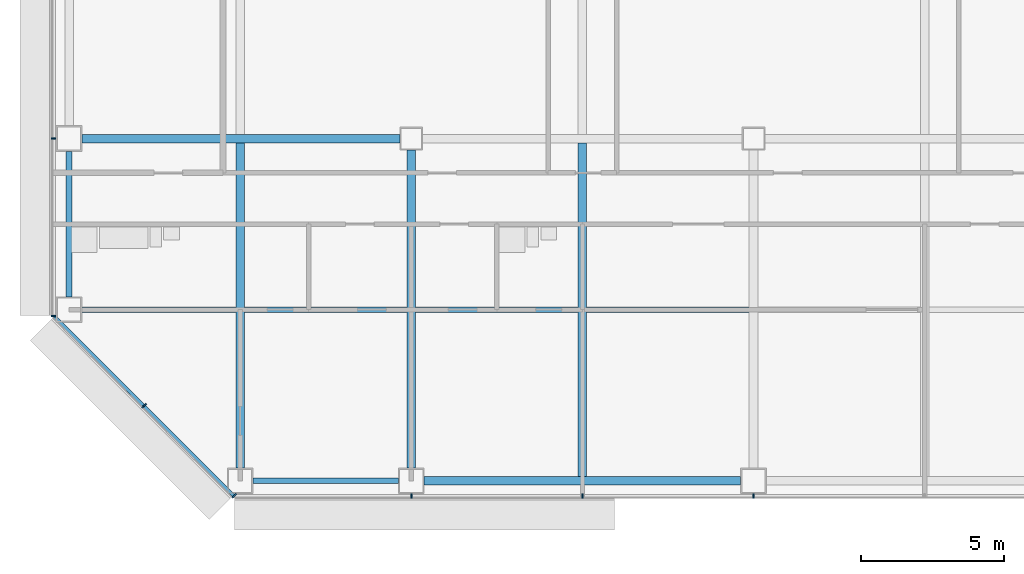
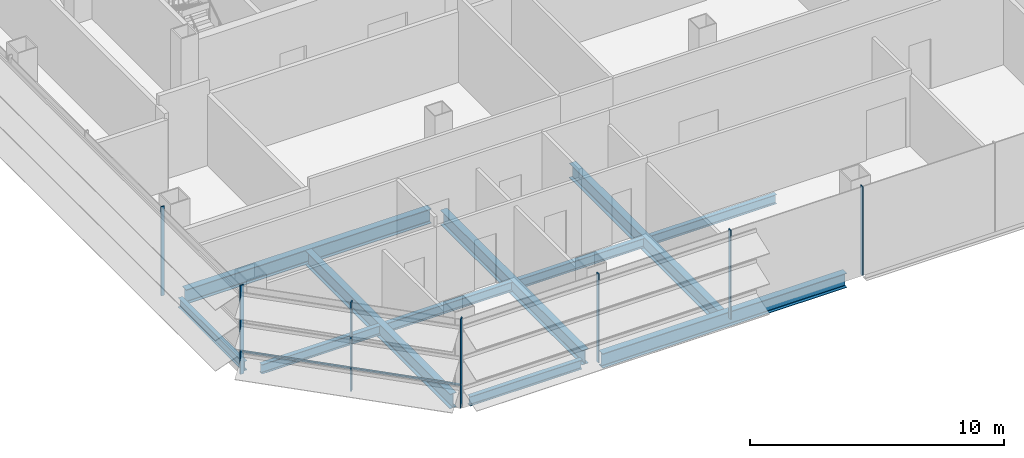
# One storey, part 2 of 27: 11 beams, 8 members, 3 elements without a shape of their own.
"""IFC4 building model written with IfcOpenShell, lengths in metres."""

from ifc_helpers import new_model, si_unit, direction, frame, origin, origin_2d, place, context, subcontext, project, spatial, rectangle, i_section, extrude, material, material_profile, profile_set, type_object, element, aggregate, save


model = new_model("IFC4")

# Units and contexts
model_context = context("Model", 3, precision=1e-05, world=origin(), true_north=direction((0.0, 1.0)))
body_context = subcontext(model_context, "Body", "Model", "MODEL_VIEW")
ifc_project = project(units=[si_unit("LENGTHUNIT", "METRE"), si_unit("AREAUNIT", "SQUARE_METRE"), si_unit("VOLUMEUNIT", "CUBIC_METRE"), si_unit("PLANEANGLEUNIT", "RADIAN"), si_unit("MASSUNIT", "GRAM", prefix="KILO")], contexts=[model_context])

# Site, building, storey
site_placement = place(None, origin())
site = spatial("IfcSite", under=ifc_project, at=site_placement, CompositionType="ELEMENT")
building_placement = place(site_placement, origin())
building = spatial("IfcBuilding", under=site, at=building_placement, Name="Sorahane Residences", CompositionType="ELEMENT")
storey_placement = place(building_placement, frame((0.0, 0.0, 85.800048828125)))
storey = spatial("IfcBuildingStorey", under=building, at=storey_placement, Name="L18", CompositionType="ELEMENT", Elevation=85.800048828125)

# Curtain wall, members
ifc_material_1 = material(Name="Dark low-e glass and black anodised aluminium", Category="aluminium")
curtain_wall_type_1 = type_object("IfcCurtainWallType", Name="Curtain wall CW-1 Typical unitised wall", PredefinedType="NOTDEFINED", material=ifc_material_1)
curtain_wall_1_placement = place(storey_placement, origin())
curtain_wall_1 = element("IfcCurtainWall", 1, at=curtain_wall_1_placement, inside=storey, type_object=curtain_wall_type_1, Name="CW-1 curtain wall L18 S1", PredefinedType="NOTDEFINED")
ifc_material_2 = material(Name="Black anodised aluminium", Category="aluminium")
ifc_material_profile_1 = material_profile(ifc_material_2, rectangle(XDim=0.159912109375, YDim=0.050048828125, at=origin_2d()), Name="Curtain wall mullion CW-1 black anodised aluminium 50x160")
ifc_profile_set_1 = profile_set([ifc_material_profile_1], Name="Black anodised aluminium")
member_type_1 = type_object("IfcMemberType", Name="Curtain wall mullion CW-1 black anodised aluminium 50x160", PredefinedType="MULLION", material=ifc_profile_set_1)
member_1_placement = place(storey_placement, frame((12.0, -0.5400390625, -0.179931640625), z_axis=(0.0, 0.0, 1.0), x_axis=(0.0, -1.0, 0.0)))
member_1 = element("IfcMember", 2, at=member_1_placement, type_object=member_type_1, Name="CW-1 mullion L18 S1.2", PredefinedType="MULLION", context=body_context, shape_type="SweptSolid", body=[
    extrude(rectangle(XDim=0.159912109375, YDim=0.050048828125, at=origin_2d()), origin(), (0.0, 0.0, 1.0), 4.27978515625),
])
member_2_placement = place(storey_placement, frame((18.0, -0.5400390625, -0.179931640625), z_axis=(0.0, 0.0, 1.0), x_axis=(0.0, -1.0, 0.0)))
member_2 = element("IfcMember", 3, at=member_2_placement, type_object=member_type_1, Name="CW-1 mullion L18 S1.3", PredefinedType="MULLION", context=body_context, shape_type="SweptSolid", body=[
    extrude(rectangle(XDim=0.159912109375, YDim=0.050048828125, at=origin_2d()), origin(), (0.0, 0.0, 1.0), 4.27978515625),
])
member_3_placement = place(storey_placement, frame((24.0, -0.5400390625, -0.179931640625), z_axis=(0.0, 0.0, 1.0), x_axis=(0.0, -1.0, 0.0)))
member_3 = element("IfcMember", 4, at=member_3_placement, type_object=member_type_1, Name="CW-1 mullion L18 S1.4", PredefinedType="MULLION", context=body_context, shape_type="SweptSolid", body=[
    extrude(rectangle(XDim=0.159912109375, YDim=0.050048828125, at=origin_2d()), origin(), (0.0, 0.0, 1.0), 4.27978515625),
])
aggregate(curtain_wall_1, [member_1, member_2, member_3])

curtain_wall_2_placement = place(storey_placement, origin())
curtain_wall_2 = element("IfcCurtainWall", 5, at=curtain_wall_2_placement, inside=storey, type_object=curtain_wall_type_1, Name="CW-1 curtain wall L18 W1", PredefinedType="NOTDEFINED")
member_4_placement = place(storey_placement, frame((-0.5400390625, 12.0, -0.179931640625), z_axis=(0.0, 0.0, 1.0), x_axis=(-1.0, 0.0, 0.0)))
member_4 = element("IfcMember", 6, at=member_4_placement, type_object=member_type_1, Name="CW-1 mullion L18 W1.6", PredefinedType="MULLION", context=body_context, shape_type="SweptSolid", body=[
    extrude(rectangle(XDim=0.159912109375, YDim=0.050048828125, at=origin_2d()), origin(), (0.0, 0.0, 1.0), 4.27978515625),
])
member_5_placement = place(storey_placement, frame((-0.5400390625, 5.7763671875, -0.179931640625), z_axis=(0.0, 0.0, 1.0), x_axis=(-1.0, 0.0, 0.0)))
member_5 = element("IfcMember", 7, at=member_5_placement, type_object=member_type_1, Name="CW-1 mullion L18 W1.7", PredefinedType="MULLION", context=body_context, shape_type="SweptSolid", body=[
    extrude(rectangle(XDim=0.159912109375, YDim=0.050048828125, at=origin_2d()), origin(), (0.0, 0.0, 1.0), 4.27978515625),
])
aggregate(curtain_wall_2, [member_4, member_5])

ifc_material_3 = material(Name="Dark low-e glass and black anodised aluminium", Category="aluminium")
curtain_wall_type_2 = type_object("IfcCurtainWallType", Name="Curtain wall CW-2 Chamfer unitised wall", PredefinedType="NOTDEFINED", material=ifc_material_3)
curtain_wall_3_placement = place(storey_placement, origin())
curtain_wall_3 = element("IfcCurtainWall", 8, at=curtain_wall_3_placement, inside=storey, type_object=curtain_wall_type_2, Name="CW-2 curtain wall L18 SW1", PredefinedType="NOTDEFINED")
ifc_material_4 = material(Name="Black anodised aluminium", Category="aluminium")
ifc_material_profile_2 = material_profile(ifc_material_4, rectangle(XDim=0.199951171875, YDim=0.050048828125, at=origin_2d()), Name="Curtain wall mullion CW-2 black anodised aluminium 50x200")
ifc_profile_set_2 = profile_set([ifc_material_profile_2], Name="Black anodised aluminium")
member_type_2 = type_object("IfcMemberType", Name="Curtain wall mullion CW-2 black anodised aluminium 50x200", PredefinedType="MULLION", material=ifc_profile_set_2)
member_6_placement = place(storey_placement, frame((2.63232421875, 2.63232421875, -0.179931640625), z_axis=(0.0, 0.0, 1.0), x_axis=(-0.707106781187, -0.707106781187, 0.0)))
member_6 = element("IfcMember", 9, at=member_6_placement, type_object=member_type_2, Name="CW-2 mullion L18 SW1.2", PredefinedType="MULLION", context=body_context, shape_type="SweptSolid", body=[
    extrude(rectangle(XDim=0.199951171875, YDim=0.050048828125, at=origin_2d()), origin(), (0.0, 0.0, 1.0), 4.27978515625),
])
member_7_placement = place(storey_placement, frame((5.790283203125, -0.525634765625, -0.179931640625), z_axis=(0.0, 0.0, 1.0), x_axis=(-0.707106781187, -0.707106781187, 0.0)))
member_7 = element("IfcMember", 10, at=member_7_placement, type_object=member_type_2, Name="CW-2 mullion L18 SW1.3", PredefinedType="MULLION", context=body_context, shape_type="SweptSolid", body=[
    extrude(rectangle(XDim=0.199951171875, YDim=0.050048828125, at=origin_2d()), origin(), (0.0, 0.0, 1.0), 4.27978515625),
])
ifc_material_5 = material(Name="Black anodised aluminium", Category="aluminium")
ifc_material_profile_3 = material_profile(ifc_material_5, rectangle(XDim=0.10009765625, YDim=0.06005859375, at=origin_2d()), Name="Curtain wall transom CW-2 black anodised aluminium 60x100")
ifc_profile_set_3 = profile_set([ifc_material_profile_3], Name="Black anodised aluminium")
member_type_3 = type_object("IfcMemberType", Name="Curtain wall transom CW-2 black anodised aluminium 60x100", PredefinedType="USERDEFINED", material=ifc_profile_set_3)
member_8_placement = place(storey_placement, frame((-0.51513671875, 5.765625, 0.89990234375), z_axis=(0.707106781187, -0.707106781187, 0.0), x_axis=(0.707106781187, 0.707106781187, 0.0)))
member_8 = element("IfcMember", 11, at=member_8_placement, type_object=member_type_3, Name="CW-2 transom L18 SW1", ObjectType="TRANSOM", PredefinedType="USERDEFINED", context=body_context, shape_type="SweptSolid", body=[
    extrude(rectangle(XDim=0.10009765625, YDim=0.06005859375, at=origin_2d()), origin(), (0.0, 0.0, 1.0), 8.88232421875),
])
aggregate(curtain_wall_3, [member_6, member_7, member_8])

# Beams
ifc_material_6 = material(Name="Steel Q355B", Category="steel")
ifc_material_profile_4 = material_profile(ifc_material_6, i_section(OverallWidth=0.199951171875, OverallDepth=0.449951171875, WebThickness=0.009033203125, FlangeThickness=0.013916015625, FilletRadius=0.02001953125, at=origin_2d()), Name="HN 450x200x9x14")
ifc_profile_set_4 = profile_set([ifc_material_profile_4], Name="Steel Q355B")
beam_type_1 = type_object("IfcBeamType", Name="Steel floor beam HN 450x200x9x14 Q355B", PredefinedType="BEAM", material=ifc_profile_set_4)
for number, where, z_axis, x_axis, name in (
    (12, (6.449951171875, 0.0, -0.405029296875), (1.0, 0.0, 0.0), (0.0, 1.0, 0.0), "Beam L18 000"),
    (13, (0.0, 6.449951171875, -0.405029296875), (0.0, 1.0, 0.0), (-1.0, 0.0, 0.0), "Beam L18 017"),
):
    element("IfcBeam", number, at=place(storey_placement, frame(where, z_axis=z_axis, x_axis=x_axis)), inside=storey, type_object=beam_type_1, Name=name, PredefinedType="BEAM", context=body_context, shape_type="SweptSolid", body=[
        extrude(i_section(OverallWidth=0.199951171875, OverallDepth=0.449951171875, WebThickness=0.009033203125, FlangeThickness=0.013916015625, FilletRadius=0.02001953125, at=origin_2d()), origin(), (0.0, 0.0, 1.0), 5.10009765625),
    ])
beam_1_placement = place(storey_placement, frame((0.449951171875, 6.0, -0.405029296875), z_axis=(1.0, 0.0, 0.0), x_axis=(0.0, 1.0, 0.0)))
element("IfcBeam", 14, at=beam_1_placement, inside=storey, type_object=beam_type_1, Name="Beam L18 061", PredefinedType="BEAM", context=body_context, shape_type="SweptSolid", body=[
    extrude(i_section(OverallWidth=0.199951171875, OverallDepth=0.449951171875, WebThickness=0.009033203125, FlangeThickness=0.013916015625, FilletRadius=0.02001953125, at=origin_2d()), origin(), (0.0, 0.0, 1.0), 5.400146484375),
])
for number, where, z_axis, x_axis, name in (
    (15, (6.14990234375, 6.0, -0.405029296875), (1.0, 0.0, 0.0), (0.0, 1.0, 0.0), "Beam L18 062"),
    (16, (12.14990234375, 6.0, -0.405029296875), (1.0, 0.0, 0.0), (0.0, 1.0, 0.0), "Beam L18 063"),
    (17, (18.14990234375, 6.0, -0.405029296875), (1.0, 0.0, 0.0), (0.0, 1.0, 0.0), "Beam L18 064"),
):
    element("IfcBeam", number, at=place(storey_placement, frame(where, z_axis=z_axis, x_axis=x_axis)), inside=storey, type_object=beam_type_1, Name=name, PredefinedType="BEAM", context=body_context, shape_type="SweptSolid", body=[
        extrude(i_section(OverallWidth=0.199951171875, OverallDepth=0.449951171875, WebThickness=0.009033203125, FlangeThickness=0.013916015625, FilletRadius=0.02001953125, at=origin_2d()), origin(), (0.0, 0.0, 1.0), 5.7001953125),
    ])
ifc_material_7 = material(Name="Steel Q355B", Category="steel")
ifc_material_profile_5 = material_profile(ifc_material_7, i_section(OverallWidth=0.300048828125, OverallDepth=0.699951171875, WebThickness=0.012939453125, FlangeThickness=0.02392578125, FilletRadius=0.028076171875, at=origin_2d()), Name="HN 700x300x13x24")
ifc_profile_set_5 = profile_set([ifc_material_profile_5], Name="Steel Q355B")
beam_type_2 = type_object("IfcBeamType", Name="Steel floor beam HN 700x300x13x24 Q355B", PredefinedType="BEAM", material=ifc_profile_set_5)
beam_2_placement = place(storey_placement, frame((12.449951171875, 0.0, -0.530029296875), z_axis=(1.0, 0.0, 0.0), x_axis=(0.0, 1.0, 0.0)))
element("IfcBeam", 18, at=beam_2_placement, inside=storey, type_object=beam_type_2, Name="Beam L18 001", PredefinedType="BEAM", context=body_context, shape_type="SweptSolid", body=[
    extrude(i_section(OverallWidth=0.300048828125, OverallDepth=0.699951171875, WebThickness=0.012939453125, FlangeThickness=0.02392578125, FilletRadius=0.028076171875, at=origin_2d()), origin(), (0.0, 0.0, 1.0), 11.10009765625),
])
beam_3_placement = place(storey_placement, frame((0.449951171875, 12.0, -0.530029296875), z_axis=(1.0, 0.0, 0.0), x_axis=(0.0, 1.0, 0.0)))
element("IfcBeam", 19, at=beam_3_placement, inside=storey, type_object=beam_type_2, Name="Beam L18 005", PredefinedType="BEAM", context=body_context, shape_type="SweptSolid", body=[
    extrude(i_section(OverallWidth=0.300048828125, OverallDepth=0.699951171875, WebThickness=0.012939453125, FlangeThickness=0.02392578125, FilletRadius=0.028076171875, at=origin_2d()), origin(), (0.0, 0.0, 1.0), 11.150146484375),
])
beam_4_placement = place(storey_placement, frame((6.0, 0.449951171875, -0.530029296875), z_axis=(0.0, 1.0, 0.0), x_axis=(-1.0, 0.0, 0.0)))
element("IfcBeam", 20, at=beam_4_placement, inside=storey, type_object=beam_type_2, Name="Beam L18 021", PredefinedType="BEAM", context=body_context, shape_type="SweptSolid", body=[
    extrude(i_section(OverallWidth=0.300048828125, OverallDepth=0.699951171875, WebThickness=0.012939453125, FlangeThickness=0.02392578125, FilletRadius=0.028076171875, at=origin_2d()), origin(), (0.0, 0.0, 1.0), 11.400146484375),
])
beam_5_placement = place(storey_placement, frame((12.0, 0.449951171875, -0.530029296875), z_axis=(0.0, 1.0, 0.0), x_axis=(-1.0, 0.0, 0.0)))
element("IfcBeam", 21, at=beam_5_placement, inside=storey, type_object=beam_type_2, Name="Beam L18 027", PredefinedType="BEAM", context=body_context, shape_type="SweptSolid", body=[
    extrude(i_section(OverallWidth=0.300048828125, OverallDepth=0.699951171875, WebThickness=0.012939453125, FlangeThickness=0.02392578125, FilletRadius=0.028076171875, at=origin_2d()), origin(), (0.0, 0.0, 1.0), 11.150146484375),
])
beam_6_placement = place(storey_placement, frame((18.0, 0.14990234375, -0.530029296875), z_axis=(0.0, 1.0, 0.0), x_axis=(-1.0, 0.0, 0.0)))
element("IfcBeam", 22, at=beam_6_placement, inside=storey, type_object=beam_type_2, Name="Beam L18 029", PredefinedType="BEAM", context=body_context, shape_type="SweptSolid", body=[
    extrude(i_section(OverallWidth=0.300048828125, OverallDepth=0.699951171875, WebThickness=0.012939453125, FlangeThickness=0.02392578125, FilletRadius=0.028076171875, at=origin_2d()), origin(), (0.0, 0.0, 1.0), 11.7001953125),
])

save(model, "model.ifc")
